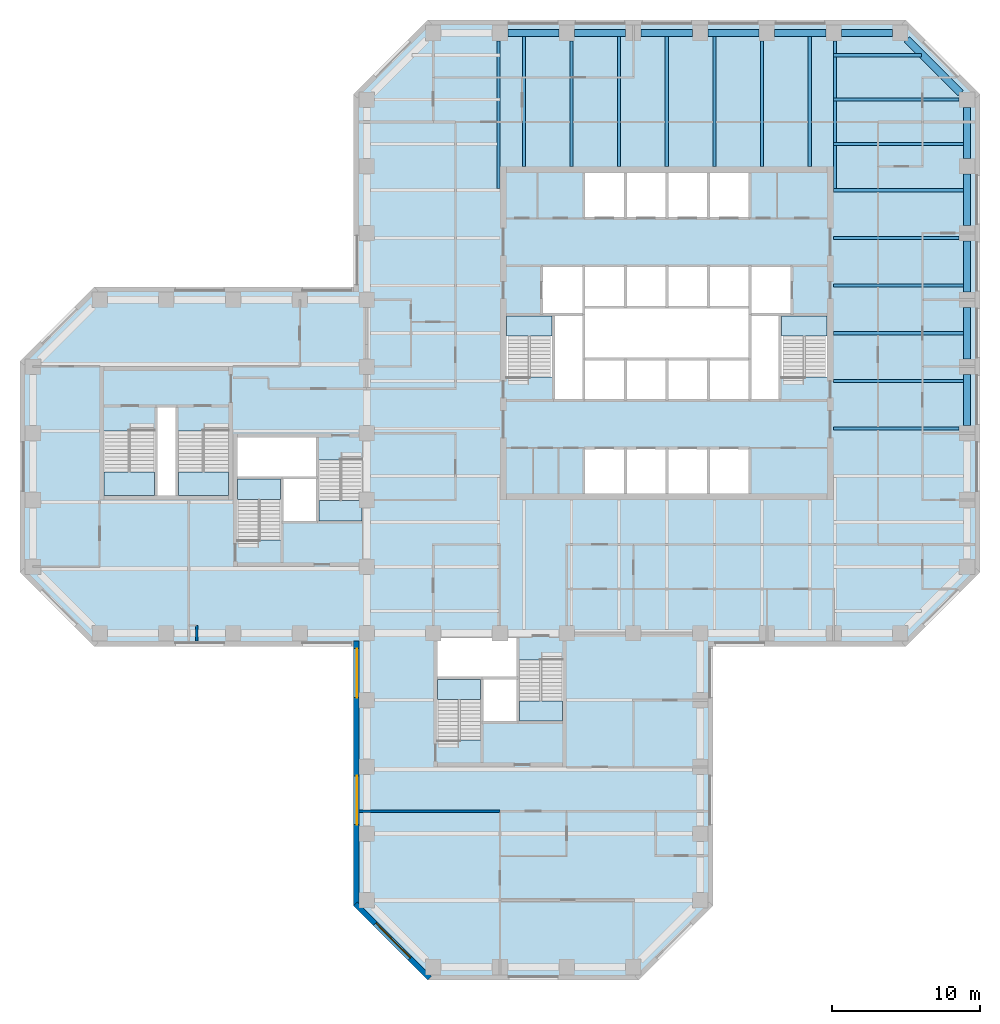
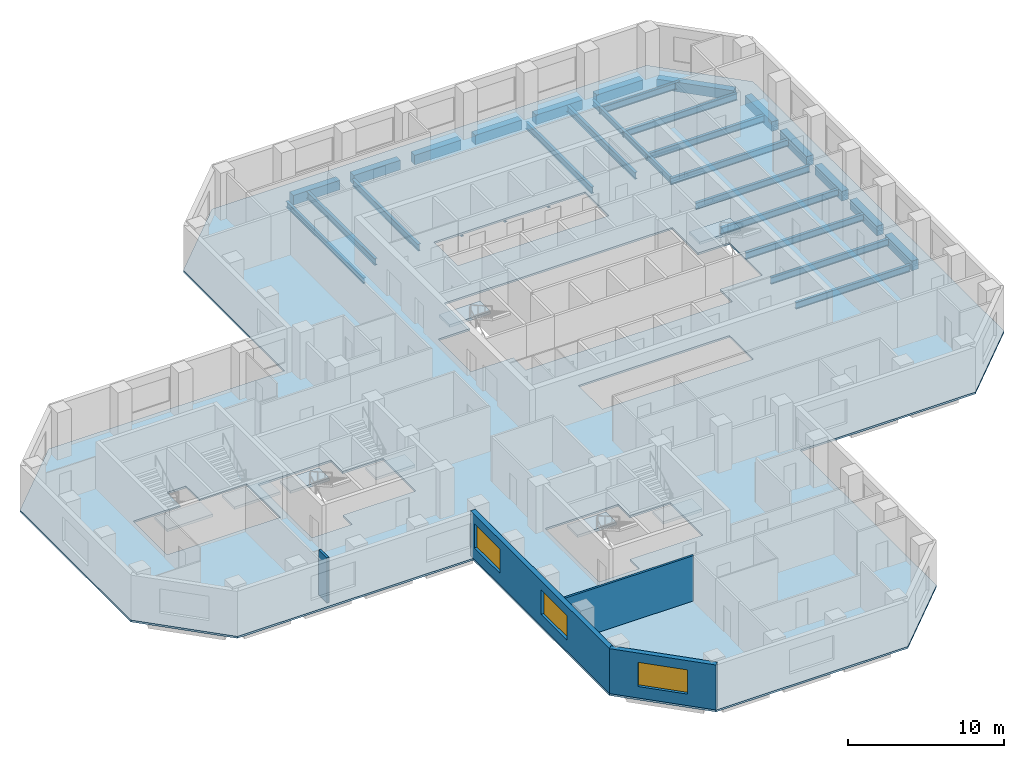
# One storey, part 2 of 11: 30 beams, 9 slabs, 4 walls, 3 windows, 3 openings, 8 elements without a shape of their own.
"""IFC4 building model written with IfcOpenShell, lengths in metres."""

from ifc_helpers import new_model, si_unit, direction, frame, frame_2d, origin, origin_2d, place, context, subcontext, project, spatial, polyline, rectangle, i_section, outline, extrude, material, layer, layer_set, constituent, constituent_set, material_profile, profile_set, type_object, element, fill, aggregate, save


model = new_model("IFC4")

# Units and contexts
model_context = context("Model", 3, precision=1e-05, world=origin(), true_north=direction((0.0, 1.0)))
body_context = subcontext(model_context, "Body", "Model", "MODEL_VIEW")
ifc_project = project(units=[si_unit("LENGTHUNIT", "METRE"), si_unit("AREAUNIT", "SQUARE_METRE"), si_unit("VOLUMEUNIT", "CUBIC_METRE"), si_unit("PLANEANGLEUNIT", "RADIAN"), si_unit("MASSUNIT", "GRAM", prefix="KILO")], contexts=[model_context])

# Site, building, storey
site_placement = place(None, origin())
site = spatial("IfcSite", under=ifc_project, at=site_placement, CompositionType="ELEMENT")
building_placement = place(site_placement, origin())
building = spatial("IfcBuilding", under=site, at=building_placement, Name="Quoin Convention Tower", CompositionType="ELEMENT")
storey_placement = place(building_placement, frame((0.0, 0.0, 104.800048828125)))
storey = spatial("IfcBuildingStorey", under=building, at=storey_placement, Name="L27", CompositionType="ELEMENT", Elevation=104.800048828125)

# Beams
ifc_material_1 = material(Name="Steel Grade 300", Category="steel")
ifc_material_profile_1 = material_profile(ifc_material_1, i_section(OverallWidth=0.18994140625, OverallDepth=0.4541015625, WebThickness=0.008544921875, FlangeThickness=0.0126953125, FilletRadius=0.011474609375, at=origin_2d()), Name="460UB67.1")
ifc_profile_set_1 = profile_set([ifc_material_profile_1], Name="Steel Grade 300")
beam_type_1 = type_object("IfcBeamType", Name="460UB67.1", PredefinedType="BEAM", material=ifc_profile_set_1)
for number, where, z_axis, x_axis, name in (
    (1, (44.8955078125, 80.47509765625, -0.376953125), (0.0, -1.0, 0.0), (1.0, 0.0, 0.0), "gir-L27-T1NW"),
    (2, (67.6044921875, 80.47509765625, -0.376953125), (0.0, -1.0, 0.0), (1.0, 0.0, 0.0), "gir-L27-T1NE"),
):
    element("IfcBeam", number, at=place(storey_placement, frame(where, z_axis=z_axis, x_axis=x_axis)), inside=storey, type_object=beam_type_1, Name=name, PredefinedType="BEAM", context=body_context, shape_type="SweptSolid", body=[
        extrude(i_section(OverallWidth=0.18994140625, OverallDepth=0.4541015625, WebThickness=0.008544921875, FlangeThickness=0.0126953125, FilletRadius=0.011474609375, at=origin_2d()), origin(), (0.0, 0.0, 1.0), 9.977783203125),
    ])
ifc_material_profile_2 = material_profile(ifc_material_1, i_section(OverallWidth=0.208984375, OverallDepth=0.528076171875, WebThickness=0.009521484375, FlangeThickness=0.01318359375, FilletRadius=0.013916015625, at=origin_2d()), Name="530UB82.0")
ifc_profile_set_2 = profile_set([ifc_material_profile_2], Name="Steel Grade 300")
beam_type_2 = type_object("IfcBeamType", Name="530UB82.0", PredefinedType="BEAM", material=ifc_profile_set_2)
beam_1_placement = place(storey_placement, frame((67.5, 54.3212890625, -0.4140625), z_axis=(1.0, 0.0, 0.0), x_axis=(0.0, 1.0, 0.0)))
element("IfcBeam", 3, at=beam_1_placement, inside=storey, type_object=beam_type_2, Name="bm-L27-T1E1", PredefinedType="BEAM", context=body_context, shape_type="SweptSolid", body=[
    extrude(i_section(OverallWidth=0.208984375, OverallDepth=0.528076171875, WebThickness=0.009521484375, FlangeThickness=0.01318359375, FilletRadius=0.013916015625, at=origin_2d()), origin(), (0.0, 0.0, 1.0), 8.47509765625),
])
for number, where, z_axis, x_axis, name in (
    (4, (67.5, 57.53564453125, -0.4140625), (1.0, 0.0, 0.0), (0.0, 1.0, 0.0), "bm-L27-T1E2"),
    (5, (67.5, 60.75, -0.4140625), (1.0, 0.0, 0.0), (0.0, 1.0, 0.0), "bm-L27-T1E3"),
    (6, (67.5, 63.96435546875, -0.4140625), (1.0, 0.0, 0.0), (0.0, 1.0, 0.0), "bm-L27-T1E4"),
):
    element("IfcBeam", number, at=place(storey_placement, frame(where, z_axis=z_axis, x_axis=x_axis)), inside=storey, type_object=beam_type_2, Name=name, PredefinedType="BEAM", context=body_context, shape_type="SweptSolid", body=[
        extrude(i_section(OverallWidth=0.208984375, OverallDepth=0.528076171875, WebThickness=0.009521484375, FlangeThickness=0.01318359375, FilletRadius=0.013916015625, at=origin_2d()), origin(), (0.0, 0.0, 1.0), 8.75),
    ])
beam_2_placement = place(storey_placement, frame((67.5, 67.1787109375, -0.4140625), z_axis=(1.0, 0.0, 0.0), x_axis=(0.0, 1.0, 0.0)))
element("IfcBeam", 7, at=beam_2_placement, inside=storey, type_object=beam_type_2, Name="bm-L27-T1E5", PredefinedType="BEAM", context=body_context, shape_type="SweptSolid", body=[
    extrude(i_section(OverallWidth=0.208984375, OverallDepth=0.528076171875, WebThickness=0.009521484375, FlangeThickness=0.01318359375, FilletRadius=0.013916015625, at=origin_2d()), origin(), (0.0, 0.0, 1.0), 8.47509765625),
])
for number, where, z_axis, x_axis, name in (
    (8, (67.5, 70.392822265625, -0.4140625), (1.0, 0.0, 0.0), (0.0, 1.0, 0.0), "bm-L27-T1E6"),
    (9, (46.607177734375, 72.0, -0.4140625), (0.0, 1.0, 0.0), (-1.0, 0.0, 0.0), "bm-L27-T1N0"),
):
    element("IfcBeam", number, at=place(storey_placement, frame(where, z_axis=z_axis, x_axis=x_axis)), inside=storey, type_object=beam_type_2, Name=name, PredefinedType="BEAM", context=body_context, shape_type="SweptSolid", body=[
        extrude(i_section(OverallWidth=0.208984375, OverallDepth=0.528076171875, WebThickness=0.009521484375, FlangeThickness=0.01318359375, FilletRadius=0.013916015625, at=origin_2d()), origin(), (0.0, 0.0, 1.0), 8.75),
    ])
beam_3_placement = place(storey_placement, frame((49.8212890625, 72.0, -0.4140625), z_axis=(0.0, 1.0, 0.0), x_axis=(-1.0, 0.0, 0.0)))
element("IfcBeam", 10, at=beam_3_placement, inside=storey, type_object=beam_type_2, Name="bm-L27-T1N1", PredefinedType="BEAM", context=body_context, shape_type="SweptSolid", body=[
    extrude(i_section(OverallWidth=0.208984375, OverallDepth=0.528076171875, WebThickness=0.009521484375, FlangeThickness=0.01318359375, FilletRadius=0.013916015625, at=origin_2d()), origin(), (0.0, 0.0, 1.0), 8.47509765625),
])
for number, where, z_axis, x_axis, name in (
    (11, (53.03564453125, 72.0, -0.4140625), (0.0, 1.0, 0.0), (-1.0, 0.0, 0.0), "bm-L27-T1N2"),
    (12, (56.25, 72.0, -0.4140625), (0.0, 1.0, 0.0), (-1.0, 0.0, 0.0), "bm-L27-T1N3"),
    (13, (59.46435546875, 72.0, -0.4140625), (0.0, 1.0, 0.0), (-1.0, 0.0, 0.0), "bm-L27-T1N4"),
):
    element("IfcBeam", number, at=place(storey_placement, frame(where, z_axis=z_axis, x_axis=x_axis)), inside=storey, type_object=beam_type_2, Name=name, PredefinedType="BEAM", context=body_context, shape_type="SweptSolid", body=[
        extrude(i_section(OverallWidth=0.208984375, OverallDepth=0.528076171875, WebThickness=0.009521484375, FlangeThickness=0.01318359375, FilletRadius=0.013916015625, at=origin_2d()), origin(), (0.0, 0.0, 1.0), 8.75),
    ])
beam_4_placement = place(storey_placement, frame((62.6787109375, 72.0, -0.4140625), z_axis=(0.0, 1.0, 0.0), x_axis=(-1.0, 0.0, 0.0)))
element("IfcBeam", 14, at=beam_4_placement, inside=storey, type_object=beam_type_2, Name="bm-L27-T1N5", PredefinedType="BEAM", context=body_context, shape_type="SweptSolid", body=[
    extrude(i_section(OverallWidth=0.208984375, OverallDepth=0.528076171875, WebThickness=0.009521484375, FlangeThickness=0.01318359375, FilletRadius=0.013916015625, at=origin_2d()), origin(), (0.0, 0.0, 1.0), 8.47509765625),
])
beam_5_placement = place(storey_placement, frame((65.892822265625, 72.0, -0.4140625), z_axis=(0.0, 1.0, 0.0), x_axis=(-1.0, 0.0, 0.0)))
element("IfcBeam", 15, at=beam_5_placement, inside=storey, type_object=beam_type_2, Name="bm-L27-T1N6", PredefinedType="BEAM", context=body_context, shape_type="SweptSolid", body=[
    extrude(i_section(OverallWidth=0.208984375, OverallDepth=0.528076171875, WebThickness=0.009521484375, FlangeThickness=0.01318359375, FilletRadius=0.013916015625, at=origin_2d()), origin(), (0.0, 0.0, 1.0), 8.75),
])
beam_6_placement = place(storey_placement, frame((67.5, 79.5, -0.4140625), z_axis=(1.0, 0.0, 0.0), x_axis=(0.0, 1.0, 0.0)))
element("IfcBeam", 16, at=beam_6_placement, inside=storey, type_object=beam_type_2, Name="bm-L27-T1NE0", PredefinedType="BEAM", context=body_context, shape_type="SweptSolid", body=[
    extrude(i_section(OverallWidth=0.208984375, OverallDepth=0.528076171875, WebThickness=0.009521484375, FlangeThickness=0.01318359375, FilletRadius=0.013916015625, at=origin_2d()), origin(), (0.0, 0.0, 1.0), 5.927734375),
])
beam_7_placement = place(storey_placement, frame((67.5, 76.5, -0.4140625), z_axis=(1.0, 0.0, 0.0), x_axis=(0.0, 1.0, 0.0)))
element("IfcBeam", 17, at=beam_7_placement, inside=storey, type_object=beam_type_2, Name="bm-L27-T1NE1", PredefinedType="BEAM", context=body_context, shape_type="SweptSolid", body=[
    extrude(i_section(OverallWidth=0.208984375, OverallDepth=0.528076171875, WebThickness=0.009521484375, FlangeThickness=0.01318359375, FilletRadius=0.013916015625, at=origin_2d()), origin(), (0.0, 0.0, 1.0), 8.47509765625),
])
beam_8_placement = place(storey_placement, frame((67.5, 73.5, -0.4140625), z_axis=(1.0, 0.0, 0.0), x_axis=(0.0, 1.0, 0.0)))
element("IfcBeam", 18, at=beam_8_placement, inside=storey, type_object=beam_type_2, Name="bm-L27-T1NE2", PredefinedType="BEAM", context=body_context, shape_type="SweptSolid", body=[
    extrude(i_section(OverallWidth=0.208984375, OverallDepth=0.528076171875, WebThickness=0.009521484375, FlangeThickness=0.01318359375, FilletRadius=0.013916015625, at=origin_2d()), origin(), (0.0, 0.0, 1.0), 8.75),
])
ifc_material_2 = material(Name="Concrete C65", Category="concrete")
ifc_material_profile_3 = material_profile(ifc_material_2, rectangle(XDim=0.5, YDim=0.75, at=origin_2d()), Name="RC 500x750")
ifc_profile_set_3 = profile_set([ifc_material_profile_3], Name="Concrete C65")
beam_type_3 = type_object("IfcBeamType", Name="RC 500x750 C65", PredefinedType="SPANDREL", material=ifc_profile_set_3)
for number, where, z_axis, x_axis, name in (
    (19, (76.5, 54.52490234375, -0.525146484375), (0.0, 1.0, 0.0), (-1.0, 0.0, 0.0), "spd-L27-76500_54000-76500_58500"),
    (20, (76.5, 59.02490234375, -0.525146484375), (0.0, 1.0, 0.0), (-1.0, 0.0, 0.0), "spd-L27-76500_58500-76500_63000"),
    (21, (76.5, 63.52490234375, -0.525146484375), (0.0, 1.0, 0.0), (-1.0, 0.0, 0.0), "spd-L27-76500_63000-76500_67500"),
    (22, (76.5, 68.02490234375, -0.525146484375), (0.0, 1.0, 0.0), (-1.0, 0.0, 0.0), "spd-L27-76500_67500-76500_72000"),
    (23, (76.5, 72.52490234375, -0.525146484375), (0.0, 1.0, 0.0), (-1.0, 0.0, 0.0), "spd-L27-76500_72000-76500_76500"),
):
    element("IfcBeam", number, at=place(storey_placement, frame(where, z_axis=z_axis, x_axis=x_axis)), inside=storey, type_object=beam_type_3, Name=name, PredefinedType="SPANDREL", context=body_context, shape_type="SweptSolid", body=[
        extrude(rectangle(XDim=0.5, YDim=0.75, at=origin_2d()), origin(), (0.0, 0.0, 1.0), 3.4501953125),
    ])
beam_9_placement = place(storey_placement, frame((76.059814453125, 76.940185546875, -0.525146484375), z_axis=(-0.707106781187, 0.707106781187, 0.0), x_axis=(-0.707106781187, -0.707106781187, 0.0)))
element("IfcBeam", 24, at=beam_9_placement, inside=storey, type_object=beam_type_3, Name="spd-L27-76500_76500-72000_81000", PredefinedType="SPANDREL", context=body_context, shape_type="SweptSolid", body=[
    extrude(rectangle(XDim=0.5, YDim=0.75, at=origin_2d()), origin(), (0.0, 0.0, 1.0), 5.118896484375),
])
for number, where, z_axis, x_axis, name in (
    (25, (71.47509765625, 81.0, -0.525146484375), (-1.0, 0.0, 0.0), (0.0, -1.0, 0.0), "spd-L27-72000_81000-67500_81000"),
    (26, (66.97509765625, 81.0, -0.525146484375), (-1.0, 0.0, 0.0), (0.0, -1.0, 0.0), "spd-L27-67500_81000-63000_81000"),
    (27, (62.47509765625, 81.0, -0.525146484375), (-1.0, 0.0, 0.0), (0.0, -1.0, 0.0), "spd-L27-63000_81000-58500_81000"),
    (28, (57.97509765625, 81.0, -0.525146484375), (-1.0, 0.0, 0.0), (0.0, -1.0, 0.0), "spd-L27-58500_81000-54000_81000"),
    (29, (53.47509765625, 81.0, -0.525146484375), (-1.0, 0.0, 0.0), (0.0, -1.0, 0.0), "spd-L27-54000_81000-49500_81000"),
    (30, (48.97509765625, 81.0, -0.525146484375), (-1.0, 0.0, 0.0), (0.0, -1.0, 0.0), "spd-L27-49500_81000-45000_81000"),
):
    element("IfcBeam", number, at=place(storey_placement, frame(where, z_axis=z_axis, x_axis=x_axis)), inside=storey, type_object=beam_type_3, Name=name, PredefinedType="SPANDREL", context=body_context, shape_type="SweptSolid", body=[
        extrude(rectangle(XDim=0.5, YDim=0.75, at=origin_2d()), origin(), (0.0, 0.0, 1.0), 3.4501953125),
    ])

# Slab
ifc_material_3 = material(Name="Concrete C40", Category="concrete")
ifc_layer_1 = layer(ifc_material_3, 0.14990234375)
ifc_layer_set_1 = layer_set([ifc_layer_1], Name="Concrete C40")
slab_type_1 = type_object("IfcSlabType", Name="COMPOSITE SLAB 150 C40", PredefinedType="FLOOR", material=ifc_layer_set_1)
slab_1_placement = place(storey_placement, frame((0.0, 0.0, -0.150146484375)))
element("IfcSlab", 31, at=slab_1_placement, inside=storey, type_object=slab_type_1, Name="slb-L27", PredefinedType="FLOOR", context=body_context, shape_type="SweptSolid", body=[
    extrude(outline(polyline([(59.375, 22.1376953125), (54.3623046875, 17.125), (40.1376953125, 17.125), (35.125, 22.1376953125), (35.125, 39.625), (17.6376953125, 39.625), (12.625, 44.6376953125), (12.625, 58.8623046875), (17.6376953125, 63.875), (35.125, 63.875), (35.125, 76.8623046875), (40.1376953125, 81.875), (72.3623046875, 81.875), (77.375, 76.8623046875), (77.375, 44.6376953125), (72.3623046875, 39.625), (59.375, 39.625), (59.375, 22.1376953125)]), holes=[polyline([(40.800048828125, 40.199951171875), (40.800048828125, 37.5), (40.800048828125, 33.300537109375), (43.800048828125, 33.300537109375), (43.800048828125, 34.5), (46.199951171875, 34.5), (49.199951171875, 34.5), (49.199951171875, 38.699462890625), (46.199951171875, 38.699462890625), (46.199951171875, 40.199951171875), (40.800048828125, 40.199951171875)]), polyline([(35.699951171875, 52.199462890625), (32.699951171875, 52.199462890625), (32.699951171875, 53.699951171875), (27.300048828125, 53.699951171875), (27.300048828125, 51.0), (27.300048828125, 46.800537109375), (30.300048828125, 46.800537109375), (30.300048828125, 48.0), (32.699951171875, 48.0), (35.699951171875, 48.0), (35.699951171875, 52.199462890625)]), polyline([(53.449951171875, 49.949951171875), (56.25, 49.949951171875), (59.050048828125, 49.949951171875), (61.85009765625, 49.949951171875), (61.85009765625, 53.0), (59.050048828125, 53.0), (56.25, 53.0), (53.449951171875, 53.0), (50.64990234375, 53.0), (50.64990234375, 49.949951171875), (53.449951171875, 49.949951171875)]), polyline([(21.800048828125, 55.85009765625), (21.800048828125, 54.1494140625), (18.300048828125, 54.1494140625), (18.300048828125, 49.800048828125), (21.800048828125, 49.800048828125), (23.199951171875, 49.800048828125), (26.699951171875, 49.800048828125), (26.699951171875, 54.1494140625), (23.199951171875, 54.1494140625), (23.199951171875, 55.85009765625), (21.800048828125, 55.85009765625)]), polyline([(48.60009765625, 57.800537109375), (48.60009765625, 56.199951171875), (50.64990234375, 56.199951171875), (53.449951171875, 56.199951171875), (56.25, 56.199951171875), (59.050048828125, 56.199951171875), (61.85009765625, 56.199951171875), (63.89990234375, 56.199951171875), (63.89990234375, 57.800537109375), (67.050048828125, 57.800537109375), (67.050048828125, 62.0), (64.699951171875, 62.0), (64.699951171875, 65.300048828125), (61.85009765625, 65.300048828125), (59.050048828125, 65.300048828125), (56.25, 65.300048828125), (53.449951171875, 65.300048828125), (50.64990234375, 65.300048828125), (47.800048828125, 65.300048828125), (47.800048828125, 62.0), (45.449951171875, 62.0), (45.449951171875, 57.800537109375), (48.60009765625, 57.800537109375)]), polyline([(50.64990234375, 68.5), (53.449951171875, 68.5), (56.25, 68.5), (59.050048828125, 68.5), (61.85009765625, 68.5), (61.85009765625, 71.550048828125), (59.050048828125, 71.550048828125), (56.25, 71.550048828125), (53.449951171875, 71.550048828125), (50.64990234375, 71.550048828125), (50.64990234375, 68.5)])]), origin(), (0.0, 0.0, 1.0), 0.150146484375),
])

# Stair, slab
stair_type_1 = type_object("IfcStairType", Name="Exit stair two-flight 1350", PredefinedType="HALF_TURN_STAIR", material=ifc_material_3)
stair_1_placement = place(storey_placement, origin())
stair_1 = element("IfcStair", 32, at=stair_1_placement, inside=storey, type_object=stair_type_1, Name="SD1 L27", PredefinedType="HALF_TURN_STAIR")
ifc_layer_2 = layer(ifc_material_3, 0.199951171875)
ifc_layer_set_2 = layer_set([ifc_layer_2], Name="Concrete C40")
slab_type_2 = type_object("IfcSlabType", Name="Stair landing 200", PredefinedType="LANDING", material=ifc_layer_set_2)
slab_2_placement = place(storey_placement, frame((0.0, 0.0, 1.792236328125)))
slab_2 = element("IfcSlab", 33, at=slab_2_placement, type_object=slab_type_2, Name="ST1 landing 1", PredefinedType="LANDING", context=body_context, shape_type="SweptSolid", body=[
    extrude(outline(polyline([(45.449951171875, 60.550048828125), (48.5, 60.550048828125), (48.5, 61.89990234375), (45.449951171875, 61.89990234375), (45.449951171875, 60.550048828125)])), origin(), (0.0, 0.0, 1.0), 0.199951171875),
])
aggregate(stair_1, [slab_2])

stair_2_placement = place(storey_placement, origin())
stair_2 = element("IfcStair", 34, at=stair_2_placement, inside=storey, type_object=stair_type_1, Name="SD2 L27", PredefinedType="HALF_TURN_STAIR")
slab_3_placement = place(storey_placement, frame((0.0, 0.0, 1.792236328125)))
slab_3 = element("IfcSlab", 35, at=slab_3_placement, type_object=slab_type_2, Name="ST2 landing 1", PredefinedType="LANDING", context=body_context, shape_type="SweptSolid", body=[
    extrude(outline(polyline([(64.0, 60.550048828125), (67.050048828125, 60.550048828125), (67.050048828125, 61.89990234375), (64.0, 61.89990234375), (64.0, 60.550048828125)])), origin(), (0.0, 0.0, 1.0), 0.199951171875),
])
aggregate(stair_2, [slab_3])

stair_3_placement = place(storey_placement, origin())
stair_3 = element("IfcStair", 36, at=stair_3_placement, inside=storey, type_object=stair_type_1, Name="SD3 L27", PredefinedType="HALF_TURN_STAIR")
slab_4_placement = place(storey_placement, frame((0.0, 0.0, 1.792236328125)))
slab_4 = element("IfcSlab", 37, at=slab_4_placement, type_object=slab_type_2, Name="ST3 landing 1", PredefinedType="LANDING", context=body_context, shape_type="SweptSolid", body=[
    extrude(outline(polyline([(27.300048828125, 49.550048828125), (30.199951171875, 49.550048828125), (30.199951171875, 50.89990234375), (27.300048828125, 50.89990234375), (27.300048828125, 49.550048828125)])), origin(), (0.0, 0.0, 1.0), 0.199951171875),
])
aggregate(stair_3, [slab_4])

stair_4_placement = place(storey_placement, origin())
stair_4 = element("IfcStair", 38, at=stair_4_placement, inside=storey, type_object=stair_type_1, Name="SD4 L27", PredefinedType="HALF_TURN_STAIR")
slab_5_placement = place(storey_placement, frame((0.0, 0.0, 1.792236328125)))
slab_5 = element("IfcSlab", 39, at=slab_5_placement, type_object=slab_type_2, Name="ST4 landing 1", PredefinedType="LANDING", context=body_context, shape_type="SweptSolid", body=[
    extrude(outline(polyline([(35.699951171875, 49.449951171875), (32.800048828125, 49.449951171875), (32.800048828125, 48.10009765625), (35.699951171875, 48.10009765625), (35.699951171875, 49.449951171875)])), origin(), (0.0, 0.0, 1.0), 0.199951171875),
])
aggregate(stair_4, [slab_5])

stair_5_placement = place(storey_placement, origin())
stair_5 = element("IfcStair", 40, at=stair_5_placement, inside=storey, type_object=stair_type_1, Name="SD5 L27", PredefinedType="HALF_TURN_STAIR")
slab_6_placement = place(storey_placement, frame((0.0, 0.0, 1.792236328125)))
slab_6 = element("IfcSlab", 41, at=slab_6_placement, type_object=slab_type_2, Name="ST5 landing 1", PredefinedType="LANDING", context=body_context, shape_type="SweptSolid", body=[
    extrude(outline(polyline([(40.800048828125, 36.050048828125), (43.699951171875, 36.050048828125), (43.699951171875, 37.39990234375), (40.800048828125, 37.39990234375), (40.800048828125, 36.050048828125)])), origin(), (0.0, 0.0, 1.0), 0.199951171875),
])
aggregate(stair_5, [slab_6])

stair_6_placement = place(storey_placement, origin())
stair_6 = element("IfcStair", 42, at=stair_6_placement, inside=storey, type_object=stair_type_1, Name="SD6 L27", PredefinedType="HALF_TURN_STAIR")
slab_7_placement = place(storey_placement, frame((0.0, 0.0, 1.792236328125)))
slab_7 = element("IfcSlab", 43, at=slab_7_placement, type_object=slab_type_2, Name="ST6 landing 1", PredefinedType="LANDING", context=body_context, shape_type="SweptSolid", body=[
    extrude(outline(polyline([(49.199951171875, 35.949951171875), (46.300048828125, 35.949951171875), (46.300048828125, 34.60009765625), (49.199951171875, 34.60009765625), (49.199951171875, 35.949951171875)])), origin(), (0.0, 0.0, 1.0), 0.199951171875),
])
aggregate(stair_6, [slab_7])

stair_type_2 = type_object("IfcStairType", Name="Exit stair two-flight 1600", PredefinedType="HALF_TURN_STAIR", material=ifc_material_3)
stair_7_placement = place(storey_placement, origin())
stair_7 = element("IfcStair", 44, at=stair_7_placement, inside=storey, type_object=stair_type_2, Name="SD11 L27", PredefinedType="HALF_TURN_STAIR")
slab_8_placement = place(storey_placement, frame((0.0, 0.0, 1.792236328125)))
slab_8 = element("IfcSlab", 45, at=slab_8_placement, type_object=slab_type_2, Name="ST11 landing 1", PredefinedType="LANDING", context=body_context, shape_type="SweptSolid", body=[
    extrude(outline(polyline([(21.699951171875, 51.39990234375), (18.300048828125, 51.39990234375), (18.300048828125, 49.800048828125), (21.699951171875, 49.800048828125), (21.699951171875, 51.39990234375)])), origin(), (0.0, 0.0, 1.0), 0.199951171875),
])
aggregate(stair_7, [slab_8])

stair_8_placement = place(storey_placement, origin())
stair_8 = element("IfcStair", 46, at=stair_8_placement, inside=storey, type_object=stair_type_2, Name="SD12 L27", PredefinedType="HALF_TURN_STAIR")
slab_9_placement = place(storey_placement, frame((0.0, 0.0, 1.792236328125)))
slab_9 = element("IfcSlab", 47, at=slab_9_placement, type_object=slab_type_2, Name="ST12 landing 1", PredefinedType="LANDING", context=body_context, shape_type="SweptSolid", body=[
    extrude(outline(polyline([(26.699951171875, 51.39990234375), (23.300048828125, 51.39990234375), (23.300048828125, 49.800048828125), (26.699951171875, 49.800048828125), (26.699951171875, 51.39990234375)])), origin(), (0.0, 0.0, 1.0), 0.199951171875),
])
aggregate(stair_8, [slab_9])

# Wall, openings, windows
ifc_material_4 = material(Name="Brick masonry", Category="masonry")
ifc_layer_3 = layer(ifc_material_4, 0.35009765625)
ifc_layer_set_3 = layer_set([ifc_layer_3], Name="Brick masonry")
wall_type_1 = type_object("IfcWallType", Name="Brick facade wall", PredefinedType="STANDARD", material=ifc_layer_set_3)
wall_1_placement = place(storey_placement, frame((35.300048828125, 39.97509765625, 0.0), z_axis=(0.0, 0.0, 1.0), x_axis=(0.0, -1.0, 0.0)))
wall_1 = element("IfcWall", 48, at=wall_1_placement, inside=storey, type_object=wall_type_1, Name="fw-L27-36000_40500", PredefinedType="STANDARD", context=body_context, shape_type="SweptSolid", body=[
    extrude(rectangle(XDim=17.83740234375, YDim=0.35009765625, at=frame_2d((8.918701171875, 0.0))), origin(), (0.0, 0.0, 1.0), 3.52490234375),
])
opening_1_placement = place(wall_1_placement, frame((0.5, 0.0, 0.89990234375)))
opening_1 = element("IfcOpeningElement", 49, at=opening_1_placement, cuts=wall_1, Name="Opening W-02", PredefinedType="OPENING", context=body_context, shape_type="SweptSolid", body=[
    extrude(rectangle(XDim=3.300048828125, YDim=1.89990234375, at=frame_2d((1.64990234375, 0.949951171875))), frame((0.0, 0.18505859375, 0.0), z_axis=(0.0, -1.0, 0.0), x_axis=(1.0, 0.0, 0.0)), (0.0, 0.0, 1.0), 0.3701171875),
])
opening_2_placement = place(wall_1_placement, frame((9.074951171875, 0.0, 0.89990234375)))
opening_2 = element("IfcOpeningElement", 50, at=opening_2_placement, cuts=wall_1, Name="Opening W-02", PredefinedType="OPENING", context=body_context, shape_type="SweptSolid", body=[
    extrude(rectangle(XDim=3.300048828125, YDim=1.89990234375, at=frame_2d((1.64990234375, 0.949951171875))), frame((0.0, 0.18505859375, 0.0), z_axis=(0.0, -1.0, 0.0), x_axis=(1.0, 0.0, 0.0)), (0.0, 0.0, 1.0), 0.3701171875),
])
ifc_material_5 = material(Name="Aluminium", Category="aluminium")
ifc_constituent_1 = constituent(ifc_material_5, Name="Frame")
ifc_material_6 = material(Name="Insulated glass", Category="glass")
ifc_constituent_2 = constituent(ifc_material_6, Name="Glazing")
ifc_constituent_set = constituent_set(constituents=[ifc_constituent_1, ifc_constituent_2], Name="Aluminium")
window_type = type_object("IfcWindowType", Name="Office window", PartitioningType="DOUBLE_PANEL_VERTICAL", PredefinedType="WINDOW", material=ifc_constituent_set)
window_1_placement = place(opening_1_placement, origin())
window_1 = element("IfcWindow", 51, at=window_1_placement, inside=storey, type_object=window_type, Name="win-L27-35300_38250", OverallHeight=1.89990234375, OverallWidth=3.300048828125, PartitioningType="SINGLE_PANEL", PredefinedType="WINDOW", context=body_context, shape_type="SweptSolid", body=[
    extrude(rectangle(XDim=3.300048828125, YDim=1.89990234375, at=frame_2d((1.64990234375, 0.949951171875))), frame((0.0, 0.0849609375, 0.0), z_axis=(0.0, -1.0, 0.0), x_axis=(1.0, 0.0, 0.0)), (0.0, 0.0, 1.0), 0.06005859375),
])
fill(opening_1, window_1)
window_2_placement = place(opening_2_placement, origin())
window_2 = element("IfcWindow", 52, at=window_2_placement, inside=storey, type_object=window_type, Name="win-L27-35300_29250", OverallHeight=1.89990234375, OverallWidth=3.300048828125, PartitioningType="SINGLE_PANEL", PredefinedType="WINDOW", context=body_context, shape_type="SweptSolid", body=[
    extrude(rectangle(XDim=3.300048828125, YDim=1.89990234375, at=frame_2d((1.64990234375, 0.949951171875))), frame((0.0, 0.0849609375, 0.0), z_axis=(0.0, -1.0, 0.0), x_axis=(1.0, 0.0, 0.0)), (0.0, 0.0, 1.0), 0.06005859375),
])
fill(opening_2, window_2)

# Wall, opening, window
wall_2_placement = place(storey_placement, frame((35.248779296875, 22.26123046875, 0.0), z_axis=(0.0, 0.0, 1.0), x_axis=(0.707106781187, -0.707106781187, 0.0)))
wall_2 = element("IfcWall", 53, at=wall_2_placement, inside=storey, type_object=wall_type_1, Name="fw-L27-36000_22500", PredefinedType="STANDARD", context=body_context, shape_type="SweptSolid", body=[
    extrude(rectangle(XDim=7.088623046875, YDim=0.35009765625, at=frame_2d((3.54443359375, 0.0))), origin(), (0.0, 0.0, 1.0), 3.52490234375),
])
opening_3_placement = place(wall_2_placement, frame((1.894287109375, 0.0, 0.89990234375)))
opening_3 = element("IfcOpeningElement", 54, at=opening_3_placement, cuts=wall_2, Name="Opening W-02", PredefinedType="OPENING", context=body_context, shape_type="SweptSolid", body=[
    extrude(rectangle(XDim=3.300048828125, YDim=1.89990234375, at=frame_2d((1.64990234375, 0.949951171875))), frame((0.0, 0.18505859375, 0.0), z_axis=(0.0, -1.0, 0.0), x_axis=(1.0, 0.0, 0.0)), (0.0, 0.0, 1.0), 0.3701171875),
])
window_3_placement = place(opening_3_placement, origin())
window_3 = element("IfcWindow", 55, at=window_3_placement, inside=storey, type_object=window_type, Name="win-L27-37755_19755", OverallHeight=1.89990234375, OverallWidth=3.300048828125, PartitioningType="SINGLE_PANEL", PredefinedType="WINDOW", context=body_context, shape_type="SweptSolid", body=[
    extrude(rectangle(XDim=3.300048828125, YDim=1.89990234375, at=frame_2d((1.64990234375, 0.949951171875))), frame((0.0, 0.0849609375, 0.0), z_axis=(0.0, -1.0, 0.0), x_axis=(1.0, 0.0, 0.0)), (0.0, 0.0, 1.0), 0.06005859375),
])
fill(opening_3, window_3)

# Walls
ifc_material_7 = material(Name="Plasterboard")
ifc_layer_4 = layer(ifc_material_7, 0.012451171875, Name="Finish")
ifc_material_8 = material(Name="Steel stud framing", Category="steel")
ifc_layer_5 = layer(ifc_material_8, 0.125, Name="Structure")
ifc_layer_6 = layer(ifc_material_7, 0.012451171875, Name="Finish")
ifc_layer_set_4 = layer_set([ifc_layer_4, ifc_layer_5, ifc_layer_6], Name="Steel stud framing")
wall_type_2 = type_object("IfcWallType", Name="Corridor wall 150", PredefinedType="PARTITIONING", material=ifc_layer_set_4)
wall_3_placement = place(storey_placement, frame((35.47509765625, 28.5, 0.0), z_axis=(0.0, 0.0, 1.0), x_axis=(1.0, 0.0, 0.0)))
element("IfcWall", 56, at=wall_3_placement, inside=storey, type_object=wall_type_2, Name="pw-L27-004", PredefinedType="PARTITIONING", context=body_context, shape_type="SweptSolid", body=[
    extrude(rectangle(XDim=9.52490234375, YDim=0.14990234375, at=frame_2d((4.762451171875, 0.0))), origin(), (0.0, 0.0, 1.0), 3.550048828125),
])
wall_4_placement = place(storey_placement, frame((24.544921875, 39.97509765625, 0.0), z_axis=(0.0, 0.0, 1.0), x_axis=(0.0, 1.0, 0.0)))
element("IfcWall", 57, at=wall_4_placement, inside=storey, type_object=wall_type_2, Name="pw-L27-w07", PredefinedType="PARTITIONING", context=body_context, shape_type="SweptSolid", body=[
    extrude(rectangle(XDim=1.0498046875, YDim=0.14990234375, at=frame_2d((0.52490234375, 0.0))), origin(), (0.0, 0.0, 1.0), 3.550048828125),
])

save(model, "model.ifc")
